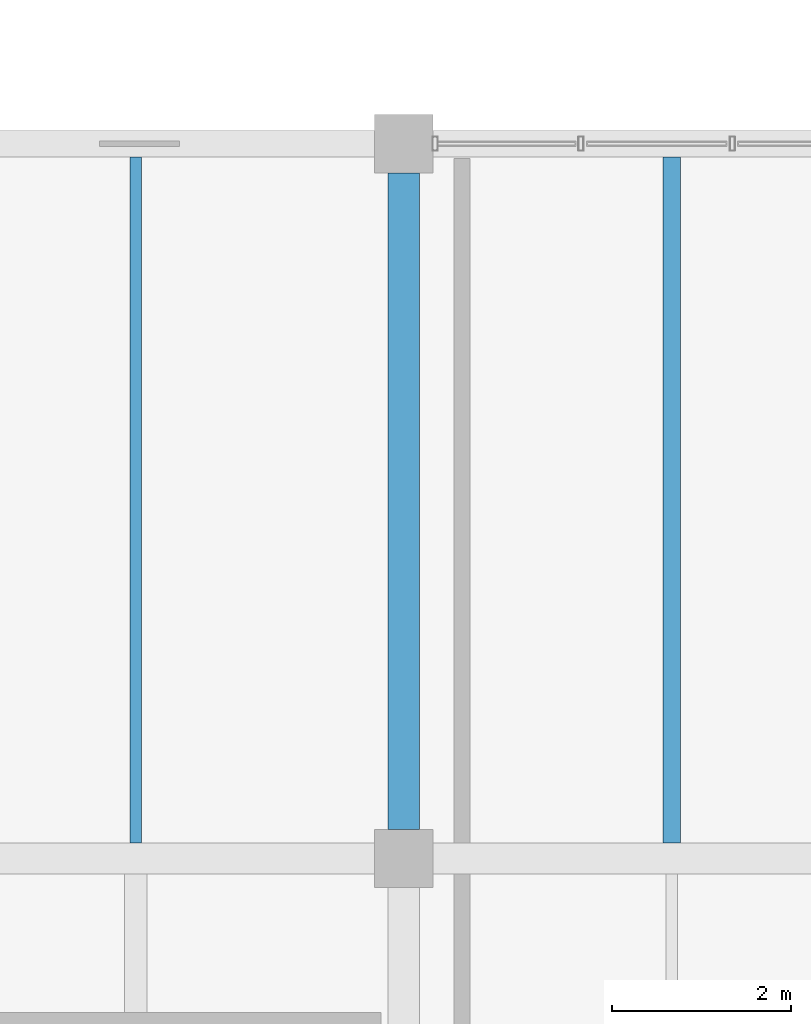
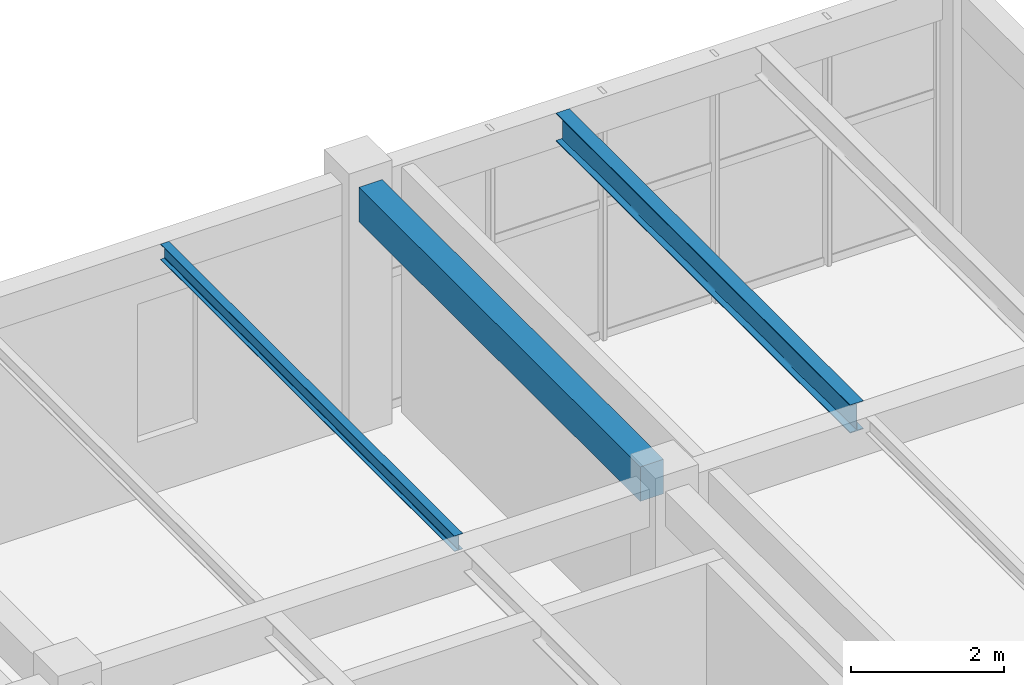
# One storey, part 48 of 71: 3 beams.
"""IFC4 building model written with IfcOpenShell, lengths in metres."""

from ifc_helpers import new_model, si_unit, derived_unit, direction, frame, origin, origin_2d, place, context, subcontext, project, spatial, rectangle, i_section, extrude, material, material_profile, profile_set, type_object, element, save


model = new_model("IFC4")

# Units and contexts
model_context = context("Model", 3, precision=1e-05, world=origin(), true_north=direction((0.0, 1.0)))
body_context = subcontext(model_context, "Body", "Model", "MODEL_VIEW")
ifc_project = project(units=[si_unit("LENGTHUNIT", "METRE"), si_unit("AREAUNIT", "SQUARE_METRE"), si_unit("VOLUMEUNIT", "CUBIC_METRE"), si_unit("PLANEANGLEUNIT", "RADIAN"), si_unit("MASSUNIT", "GRAM", prefix="KILO"), derived_unit("THERMALTRANSMITTANCEUNIT", [(si_unit("MASSUNIT", "GRAM", prefix="KILO"), 1), (si_unit("TIMEUNIT", "SECOND"), -3), (si_unit("THERMODYNAMICTEMPERATUREUNIT", "KELVIN"), -1)])], contexts=[model_context])

# Site, building, storey
site_placement = place(None, origin())
site = spatial("IfcSite", under=ifc_project, at=site_placement, CompositionType="ELEMENT")
building_placement = place(site_placement, origin())
building = spatial("IfcBuilding", under=site, at=building_placement, Name="Zhenchuan Archway Interchange", CompositionType="ELEMENT")
storey_placement = place(building_placement, frame((0.0, 0.0, 18.60009765625)))
storey = spatial("IfcBuildingStorey", under=building, at=storey_placement, Name="L04", CompositionType="ELEMENT", Elevation=18.60009765625)

# Beams
ifc_material_1 = material(Name="Concrete C40", Category="concrete")
ifc_material_profile_1 = material_profile(ifc_material_1, rectangle(XDim=0.35009765625, YDim=0.550048828125, at=origin_2d()), Name="RC 350x550")
ifc_profile_set_1 = profile_set([ifc_material_profile_1], Name="Concrete C40")
beam_type_1 = type_object("IfcBeamType", Name="BM_RC_350x550", PredefinedType="BEAM", material=ifc_profile_set_1)
beam_1_placement = place(storey_placement, frame((162.0, 96.324951171875, 3.664794921875), z_axis=(0.0, 1.0, 0.0), x_axis=(-1.0, 0.0, 0.0)))
element("IfcBeam", 1, at=beam_1_placement, inside=storey, type_object=beam_type_1, Name="Beam 19:N-O (L04)", PredefinedType="BEAM", context=body_context, shape_type="SweptSolid", body=[
    extrude(rectangle(XDim=0.35009765625, YDim=0.550048828125, at=origin_2d()), origin(), (0.0, 0.0, 1.0), 7.35009765625),
])
ifc_material_2 = material(Name="Steel Q355", Category="steel")
ifc_material_profile_2 = material_profile(ifc_material_2, i_section(OverallWidth=0.125, OverallDepth=0.25, WebThickness=0.006103515625, FlangeThickness=0.009033203125, FilletRadius=0.011962890625, at=origin_2d()), Name="HN 250x125")
ifc_profile_set_2 = profile_set([ifc_material_profile_2], Name="Steel Q355")
beam_type_2 = type_object("IfcBeamType", Name="JST_STL_HN250", PredefinedType="JOIST", material=ifc_profile_set_2)
beam_2_placement = place(storey_placement, frame((159.0, 96.175048828125, 3.81494140625), z_axis=(0.0, 1.0, 0.0), x_axis=(-1.0, 0.0, 0.0)))
element("IfcBeam", 2, at=beam_2_placement, inside=storey, type_object=beam_type_2, Name="Secondary joist 18-19/N-O #2 (L04)", PredefinedType="JOIST", context=body_context, shape_type="SweptSolid", body=[
    extrude(i_section(OverallWidth=0.125, OverallDepth=0.25, WebThickness=0.006103515625, FlangeThickness=0.009033203125, FilletRadius=0.011962890625, at=origin_2d()), origin(), (0.0, 0.0, 1.0), 7.675048828125),
])
ifc_material_profile_3 = material_profile(ifc_material_2, i_section(OverallWidth=0.199951171875, OverallDepth=0.449951171875, WebThickness=0.009033203125, FlangeThickness=0.013916015625, FilletRadius=0.01806640625, at=origin_2d()), Name="HN 450x200")
ifc_profile_set_3 = profile_set([ifc_material_profile_3], Name="Steel Q355")
beam_type_3 = type_object("IfcBeamType", Name="JST_STL_HN450", PredefinedType="JOIST", material=ifc_profile_set_3)
beam_3_placement = place(storey_placement, frame((165.0, 96.175048828125, 3.71484375), z_axis=(0.0, 1.0, 0.0), x_axis=(-1.0, 0.0, 0.0)))
element("IfcBeam", 3, at=beam_3_placement, inside=storey, type_object=beam_type_3, Name="Secondary joist 19-20/N-O #1 (L04)", PredefinedType="JOIST", context=body_context, shape_type="SweptSolid", body=[
    extrude(i_section(OverallWidth=0.199951171875, OverallDepth=0.449951171875, WebThickness=0.009033203125, FlangeThickness=0.013916015625, FilletRadius=0.01806640625, at=origin_2d()), origin(), (0.0, 0.0, 1.0), 7.675048828125),
])

save(model, "model.ifc")
